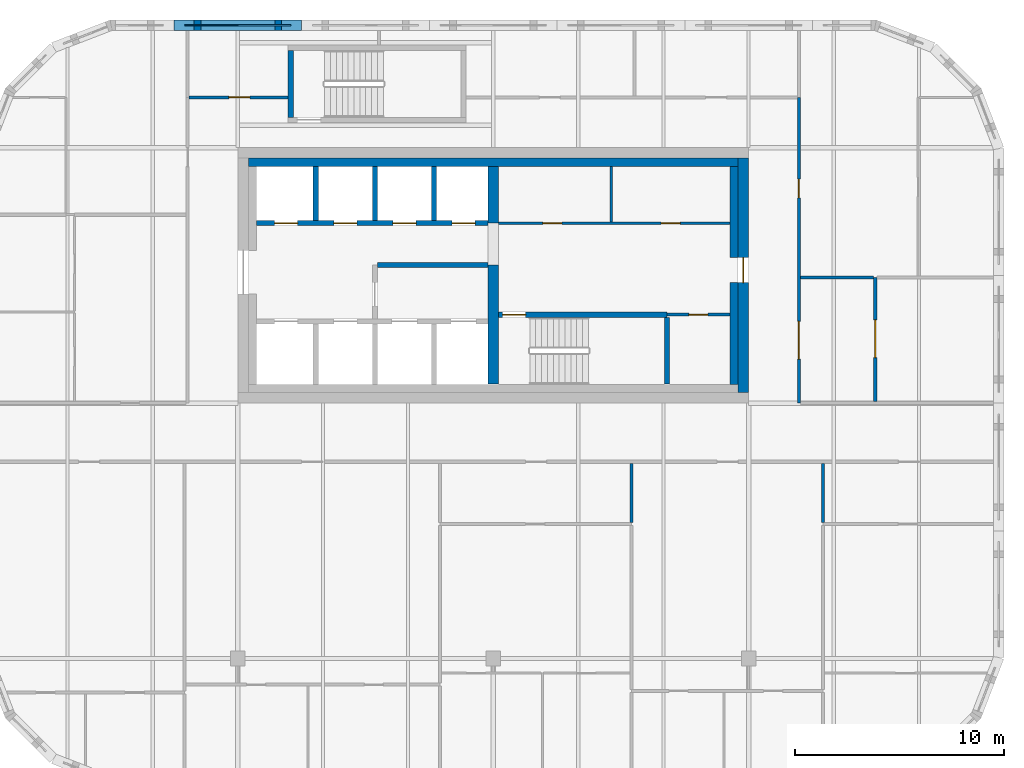
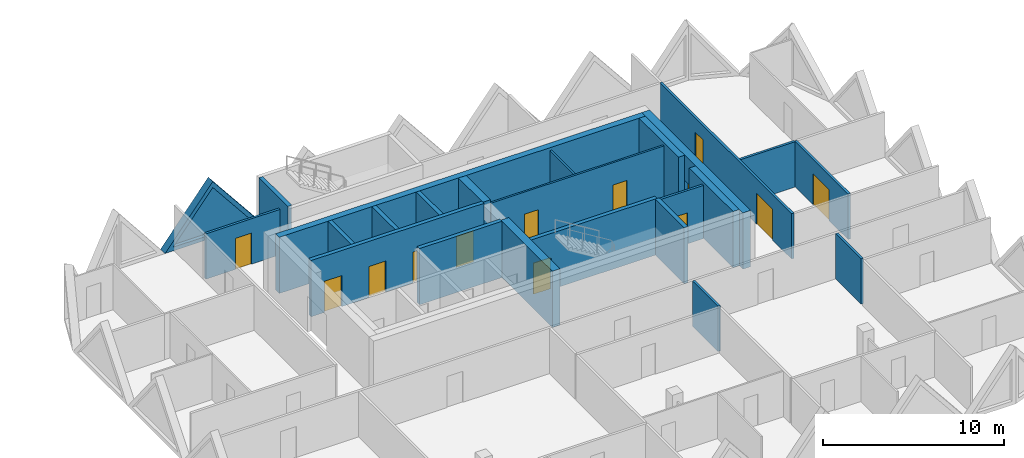
# One storey, part 14 of 19: 24 walls, 13 doors, 1 plate, 14 openings.
"""IFC4 building model written with IfcOpenShell, lengths in metres."""

from ifc_helpers import new_model, si_unit, direction, frame, frame_2d, origin, place, context, subcontext, project, spatial, polyline, rectangle, outline, extrude, faceted_brep, source, transform, mapped, material, layer, layer_set, type_object, element, fill, save


model = new_model("IFC4")

# Units and contexts
model_context = context("Model", 3, precision=1e-05, world=origin(), true_north=direction((0.0, 1.0)))
body_context = subcontext(model_context, "Body", "Model", "MODEL_VIEW")
ifc_project = project(units=[si_unit("LENGTHUNIT", "METRE"), si_unit("AREAUNIT", "SQUARE_METRE"), si_unit("VOLUMEUNIT", "CUBIC_METRE"), si_unit("PLANEANGLEUNIT", "RADIAN"), si_unit("MASSUNIT", "GRAM", prefix="KILO")], contexts=[model_context])

# Site, building, storey
site_placement = place(None, origin())
site = spatial("IfcSite", under=ifc_project, at=site_placement, CompositionType="ELEMENT")
building_placement = place(site_placement, origin())
building = spatial("IfcBuilding", under=site, at=building_placement, Name="Tessera Gate Towers", CompositionType="ELEMENT")
storey_placement = place(building_placement, frame((0.0, 0.0, 68.60009765625)))
storey = spatial("IfcBuildingStorey", under=building, at=storey_placement, Name="L16", CompositionType="ELEMENT", Elevation=68.60009765625)

# Wall, openings, doors
ifc_material_1 = material(Name="Concrete C40/50", Category="concrete")
ifc_layer_1 = layer(ifc_material_1, 0.25)
ifc_layer_set_1 = layer_set([ifc_layer_1], Name="CORE ENCLOSURE WALL 250")
wall_type_1 = type_object("IfcWallType", Name="CORE ENCLOSURE WALL 250", PredefinedType="SOLIDWALL", material=ifc_layer_set_1)
wall_1_placement = place(storey_placement, frame((109.550048828125, 45.199951171875, 0.0), z_axis=(0.0, 0.0, 1.0), x_axis=(-1.0, 0.0, 0.0)))
wall_1 = element("IfcWall", 1, at=wall_1_placement, inside=storey, type_object=wall_type_1, Name="L16 shaft and stair enclosure wall", PredefinedType="SOLIDWALL", context=body_context, shape_type="SweptSolid", body=[
    extrude(rectangle(XDim=11.050048828125, YDim=0.25, at=frame_2d((5.52490234375, 0.0))), origin(), (0.0, 0.0, 1.0), 3.7998046875),
])
shared_shape_1 = source(origin(), body_context, "Body", "SweptSolid", [
    extrude(rectangle(XDim=1.10009765625, YDim=2.10009765625, at=frame_2d((0.550048828125, 1.050048828125))), frame((0.0, 0.135009765625, 0.0), z_axis=(0.0, -1.0, 0.0), x_axis=(1.0, 0.0, 0.0)), (0.0, 0.0, 1.0), 0.27001953125),
])
opening_1_placement = place(wall_1_placement, frame((9.08740234375, 0.0, 0.0)))
opening_1 = element("IfcOpeningElement", 2, at=opening_1_placement, cuts=wall_1, Name="Opening LD-TL3", PredefinedType="OPENING", context=body_context, shape_type="MappedRepresentation", body=[
    mapped(shared_shape_1, transform((0.0, 0.0, 0.0), scale=1.0)),
])
opening_2_placement = place(wall_1_placement, frame((6.262451171875, 0.0, 0.0)))
opening_2 = element("IfcOpeningElement", 3, at=opening_2_placement, cuts=wall_1, Name="Opening LD-TL4", PredefinedType="OPENING", context=body_context, shape_type="MappedRepresentation", body=[
    mapped(shared_shape_1, transform((0.0, 0.0, 0.0), scale=1.0)),
])
opening_3_placement = place(wall_1_placement, frame((3.4375, 0.0, 0.0)))
opening_3 = element("IfcOpeningElement", 4, at=opening_3_placement, cuts=wall_1, Name="Opening LD-TL5", PredefinedType="OPENING", context=body_context, shape_type="MappedRepresentation", body=[
    mapped(shared_shape_1, transform((0.0, 0.0, 0.0), scale=1.0)),
])
opening_4_placement = place(wall_1_placement, frame((0.612548828125, 0.0, 0.0)))
opening_4 = element("IfcOpeningElement", 5, at=opening_4_placement, cuts=wall_1, Name="Opening LD-TL6", PredefinedType="OPENING", context=body_context, shape_type="MappedRepresentation", body=[
    mapped(shared_shape_1, transform((0.0, 0.0, 0.0), scale=1.0)),
])
ifc_material_2 = material(Name="Stainless steel", Category="steel")
door_type_1 = type_object("IfcDoorType", Name="CORE DOOR LD 1100x2100", OperationType="DOUBLE_DOOR_SLIDING", PredefinedType="DOOR", material=ifc_material_2)
shared_shape_2 = source(origin(), body_context, "Body", "SweptSolid", [
    extrude(rectangle(XDim=1.10009765625, YDim=2.10009765625, at=frame_2d((0.550048828125, 1.050048828125))), frame((0.0, 0.02490234375, 0.0), z_axis=(0.0, -1.0, 0.0), x_axis=(1.0, 0.0, 0.0)), (0.0, 0.0, 1.0), 0.050048828125),
])
door_1_placement = place(opening_1_placement, origin())
door_1 = element("IfcDoor", 6, at=door_1_placement, inside=storey, type_object=door_type_1, Name="Landing door TL3 L16", OperationType="DOUBLE_DOOR_SLIDING", OverallHeight=2.10009765625, OverallWidth=1.10009765625, PredefinedType="DOOR", context=body_context, shape_type="MappedRepresentation", body=[
    mapped(shared_shape_2, transform((0.0, 0.0, 0.0), scale=1.0)),
])
fill(opening_1, door_1)
door_2_placement = place(opening_2_placement, origin())
door_2 = element("IfcDoor", 7, at=door_2_placement, inside=storey, type_object=door_type_1, Name="Landing door TL4 L16", OperationType="DOUBLE_DOOR_SLIDING", OverallHeight=2.10009765625, OverallWidth=1.10009765625, PredefinedType="DOOR", context=body_context, shape_type="MappedRepresentation", body=[
    mapped(shared_shape_2, transform((0.0, 0.0, 0.0), scale=1.0)),
])
fill(opening_2, door_2)
door_3_placement = place(opening_3_placement, origin())
door_3 = element("IfcDoor", 8, at=door_3_placement, inside=storey, type_object=door_type_1, Name="Landing door TL5 L16", OperationType="DOUBLE_DOOR_SLIDING", OverallHeight=2.10009765625, OverallWidth=1.10009765625, PredefinedType="DOOR", context=body_context, shape_type="MappedRepresentation", body=[
    mapped(shared_shape_2, transform((0.0, 0.0, 0.0), scale=1.0)),
])
fill(opening_3, door_3)
door_4_placement = place(opening_4_placement, origin())
door_4 = element("IfcDoor", 9, at=door_4_placement, inside=storey, type_object=door_type_1, Name="Landing door TL6 L16", OperationType="DOUBLE_DOOR_SLIDING", OverallHeight=2.10009765625, OverallWidth=1.10009765625, PredefinedType="DOOR", context=body_context, shape_type="MappedRepresentation", body=[
    mapped(shared_shape_2, transform((0.0, 0.0, 0.0), scale=1.0)),
])
fill(opening_4, door_4)

# Wall, opening, door
wall_2_placement = place(storey_placement, frame((118.10009765625, 40.824951171875, 0.0), z_axis=(0.0, 0.0, 1.0), x_axis=(-1.0, 0.0, 0.0)))
wall_2 = element("IfcWall", 10, at=wall_2_placement, inside=storey, type_object=wall_type_1, Name="L16 shaft and stair enclosure wall", PredefinedType="SOLIDWALL", context=body_context, shape_type="SweptSolid", body=[
    extrude(rectangle(XDim=8.050048828125, YDim=0.25, at=frame_2d((4.02490234375, 0.0))), origin(), (0.0, 0.0, 1.0), 3.7998046875),
])
opening_5_placement = place(wall_2_placement, frame((6.75, 0.0, 0.0)))
opening_5 = element("IfcOpeningElement", 11, at=opening_5_placement, cuts=wall_2, Name="Opening SD-ST6-1", PredefinedType="OPENING", context=body_context, shape_type="MappedRepresentation", body=[
    mapped(shared_shape_1, transform((0.0, 0.0, 0.0), scale=1.0)),
])
ifc_material_3 = material(Name="Hollow steel fire door", Category="steel")
door_type_2 = type_object("IfcDoorType", Name="CORE DOOR SD1100 1100x2100", OperationType="NOTDEFINED", PredefinedType="DOOR", material=ifc_material_3)
door_5_placement = place(opening_5_placement, origin())
door_5 = element("IfcDoor", 12, at=door_5_placement, inside=storey, type_object=door_type_2, Name="Stair door", OperationType="SINGLE_SWING_RIGHT", OverallHeight=2.10009765625, OverallWidth=1.10009765625, PredefinedType="DOOR", context=body_context, shape_type="MappedRepresentation", body=[
    mapped(shared_shape_2, transform((0.0, 0.0, 0.0), scale=1.0)),
])
fill(opening_5, door_5)

# Walls
wall_3_placement = place(storey_placement, frame((104.27490234375, 43.199951171875, 0.0), z_axis=(0.0, 0.0, 1.0), x_axis=(1.0, 0.0, 0.0)))
element("IfcWall", 13, at=wall_3_placement, inside=storey, type_object=wall_type_1, Name="L16 shaft and stair enclosure wall", PredefinedType="SOLIDWALL", context=body_context, shape_type="SweptSolid", body=[
    extrude(rectangle(XDim=5.275146484375, YDim=0.25, at=frame_2d((2.6376953125, 0.0))), origin(), (0.0, 0.0, 1.0), 3.7998046875),
])
wall_4_placement = place(storey_placement, frame((118.10009765625, 37.5, 0.0), z_axis=(0.0, 0.0, 1.0), x_axis=(0.0, 1.0, 0.0)))
element("IfcWall", 14, at=wall_4_placement, inside=storey, type_object=wall_type_1, Name="L16 shaft and stair enclosure wall", PredefinedType="SOLIDWALL", context=body_context, shape_type="SweptSolid", body=[
    extrude(rectangle(XDim=3.199951171875, YDim=0.25, at=frame_2d((1.60009765625, 0.0))), origin(), (0.0, 0.0, 1.0), 3.7998046875),
])
for number, where, z_axis, x_axis, name in (
    (15, (101.324951171875, 45.324951171875, 0.0), (0.0, 0.0, 1.0), (0.0, 1.0, 0.0), "L16 shaft and stair enclosure wall"),
    (16, (104.14990234375, 45.324951171875, 0.0), (0.0, 0.0, 1.0), (0.0, 1.0, 0.0), "L16 shaft and stair enclosure wall"),
    (17, (106.97509765625, 45.324951171875, 0.0), (0.0, 0.0, 1.0), (0.0, 1.0, 0.0), "L16 shaft and stair enclosure wall"),
):
    element("IfcWall", number, at=place(storey_placement, frame(where, z_axis=z_axis, x_axis=x_axis)), inside=storey, type_object=wall_type_1, Name=name, PredefinedType="SOLIDWALL", context=body_context, shape_type="SweptSolid", body=[
        extrude(rectangle(XDim=2.574951171875, YDim=0.25, at=frame_2d((1.28759765625, 0.0))), origin(), (0.0, 0.0, 1.0), 3.7998046875),
    ])
wall_5_placement = place(storey_placement, frame((100.125, 50.25, 0.0), z_axis=(0.0, 0.0, 1.0), x_axis=(0.0, 1.0, 0.0)))
element("IfcWall", 18, at=wall_5_placement, inside=storey, type_object=wall_type_1, Name="L16 ST7 enclosure wall", PredefinedType="SOLIDWALL", context=body_context, shape_type="SweptSolid", body=[
    extrude(rectangle(XDim=3.199951171875, YDim=0.25, at=frame_2d((1.60009765625, 0.0))), origin(), (0.0, 0.0, 1.0), 3.7998046875),
])

# Wall, openings, doors
ifc_material_4 = material(Name="Gypsum board on steel studs", Category="steel")
ifc_layer_2 = layer(ifc_material_4, 0.1201171875)
ifc_layer_set_2 = layer_set([ifc_layer_2], Name="CORE PARTITION 120")
wall_type_2 = type_object("IfcWallType", Name="CORE PARTITION 120", PredefinedType="PARTITIONING", material=ifc_layer_set_2)
wall_6_placement = place(storey_placement, frame((110.050048828125, 45.199951171875, 0.0), z_axis=(0.0, 0.0, 1.0), x_axis=(1.0, 0.0, 0.0)))
wall_6 = element("IfcWall", 19, at=wall_6_placement, inside=storey, type_object=wall_type_2, Name="L16 core partition", PredefinedType="PARTITIONING", context=body_context, shape_type="SweptSolid", body=[
    extrude(rectangle(XDim=11.050048828125, YDim=0.1201171875, at=frame_2d((5.52490234375, 0.0))), origin(), (0.0, 0.0, 1.0), 3.599853515625),
])
shared_shape_3 = source(origin(), body_context, "Body", "SweptSolid", [
    extrude(rectangle(XDim=0.89990234375, YDim=2.10009765625, at=frame_2d((0.449951171875, 1.050048828125))), frame((0.0, 0.070068359375, 0.0), z_axis=(0.0, -1.0, 0.0), x_axis=(1.0, 0.0, 0.0)), (0.0, 0.0, 1.0), 0.14013671875),
])
opening_6_placement = place(wall_6_placement, frame((2.125, 0.0, 0.0)))
opening_6 = element("IfcOpeningElement", 20, at=opening_6_placement, cuts=wall_6, Name="Opening RD-T2-09-04", PredefinedType="OPENING", context=body_context, shape_type="MappedRepresentation", body=[
    mapped(shared_shape_3, transform((0.0, 0.0, 0.0), scale=1.0)),
])
opening_7_placement = place(wall_6_placement, frame((7.77490234375, 0.0, 0.0)))
opening_7 = element("IfcOpeningElement", 21, at=opening_7_placement, cuts=wall_6, Name="Opening RD-T2-09-05", PredefinedType="OPENING", context=body_context, shape_type="MappedRepresentation", body=[
    mapped(shared_shape_3, transform((0.0, 0.0, 0.0), scale=1.0)),
])
ifc_material_5 = material(Name="Hollow steel fire door", Category="steel")
door_type_3 = type_object("IfcDoorType", Name="CORE DOOR RD 900x2100", OperationType="NOTDEFINED", PredefinedType="DOOR", material=ifc_material_5)
shared_shape_4 = source(origin(), body_context, "Body", "SweptSolid", [
    extrude(rectangle(XDim=0.89990234375, YDim=2.10009765625, at=frame_2d((0.449951171875, 1.050048828125))), frame((0.0, 0.02490234375, 0.0), z_axis=(0.0, -1.0, 0.0), x_axis=(1.0, 0.0, 0.0)), (0.0, 0.0, 1.0), 0.050048828125),
])
door_6_placement = place(opening_6_placement, origin())
door_6 = element("IfcDoor", 22, at=door_6_placement, inside=storey, type_object=door_type_3, Name="Core room door", OperationType="SINGLE_SWING_LEFT", OverallHeight=2.10009765625, OverallWidth=0.89990234375, PredefinedType="DOOR", context=body_context, shape_type="MappedRepresentation", body=[
    mapped(shared_shape_4, transform((0.0, 0.0, 0.0), scale=1.0)),
])
fill(opening_6, door_6)
door_7_placement = place(opening_7_placement, origin())
door_7 = element("IfcDoor", 23, at=door_7_placement, inside=storey, type_object=door_type_3, Name="Core room door", OperationType="SINGLE_SWING_RIGHT", OverallHeight=2.10009765625, OverallWidth=0.89990234375, PredefinedType="DOOR", context=body_context, shape_type="MappedRepresentation", body=[
    mapped(shared_shape_4, transform((0.0, 0.0, 0.0), scale=1.0)),
])
fill(opening_7, door_7)

# Wall
wall_7_placement = place(storey_placement, frame((115.449951171875, 45.260009765625, 0.0), z_axis=(0.0, 0.0, 1.0), x_axis=(0.0, 1.0, 0.0)))
element("IfcWall", 24, at=wall_7_placement, inside=storey, type_object=wall_type_2, Name="L16 core partition", PredefinedType="PARTITIONING", context=body_context, shape_type="SweptSolid", body=[
    extrude(rectangle(XDim=2.639892578125, YDim=0.1201171875, at=frame_2d((1.31982421875, 0.0))), origin(), (0.0, 0.0, 1.0), 3.599853515625),
])

# Wall, opening, door
ifc_material_6 = material(Name="Concrete C50/60", Category="concrete")
ifc_layer_3 = layer(ifc_material_6, 0.5)
ifc_layer_set_3 = layer_set([ifc_layer_3], Name="CORE SHEAR WALL 500 C50/60")
wall_type_3 = type_object("IfcWallType", Name="CORE SHEAR WALL 500 C50/60", PredefinedType="SHEAR", material=ifc_layer_set_3)
wall_8_placement = place(storey_placement, frame((121.75, 48.300048828125, 0.0), z_axis=(0.0, 0.0, 1.0), x_axis=(0.0, -1.0, 0.0)))
wall_8 = element("IfcWall", 25, at=wall_8_placement, inside=storey, type_object=wall_type_3, Name="Core wall E L16", PredefinedType="SHEAR", context=body_context, shape_type="SweptSolid", body=[
    extrude(rectangle(XDim=11.199951171875, YDim=0.5, at=frame_2d((5.60009765625, 0.0))), origin(), (0.0, 0.0, 1.0), 3.7998046875),
])
shared_shape_5 = source(origin(), body_context, "Body", "SweptSolid", [
    extrude(rectangle(XDim=1.199951171875, YDim=2.10009765625, at=frame_2d((0.60009765625, 1.050048828125))), frame((0.0, 0.260009765625, 0.0), z_axis=(0.0, -1.0, 0.0), x_axis=(1.0, 0.0, 0.0)), (0.0, 0.0, 1.0), 0.52001953125),
])
opening_8_placement = place(wall_8_placement, frame((4.75, 0.0, 0.0)))
opening_8 = element("IfcOpeningElement", 26, at=opening_8_placement, cuts=wall_8, Name="Opening ED-T2-09-02", PredefinedType="OPENING", context=body_context, shape_type="MappedRepresentation", body=[
    mapped(shared_shape_5, transform((0.0, 0.0, 0.0), scale=1.0)),
])
ifc_material_7 = material(Name="Hollow steel fire door", Category="steel")
door_type_4 = type_object("IfcDoorType", Name="CORE DOOR ED 1200x2100", OperationType="NOTDEFINED", PredefinedType="DOOR", material=ifc_material_7)
shared_shape_6 = source(origin(), body_context, "Body", "SweptSolid", [
    extrude(rectangle(XDim=1.199951171875, YDim=2.10009765625, at=frame_2d((0.60009765625, 1.050048828125))), frame((0.0, 0.02490234375, 0.0), z_axis=(0.0, -1.0, 0.0), x_axis=(1.0, 0.0, 0.0)), (0.0, 0.0, 1.0), 0.050048828125),
])
door_8_placement = place(opening_8_placement, origin())
door_8 = element("IfcDoor", 27, at=door_8_placement, inside=storey, type_object=door_type_4, Name="Core exit door", OperationType="SINGLE_SWING_LEFT", OverallHeight=2.10009765625, OverallWidth=1.199951171875, PredefinedType="DOOR", context=body_context, shape_type="MappedRepresentation", body=[
    mapped(shared_shape_6, transform((0.0, 0.0, 0.0), scale=1.0)),
])
fill(opening_8, door_8)

# Walls
ifc_material_8 = material(Name="Concrete C50/60", Category="concrete")
ifc_layer_4 = layer(ifc_material_8, 0.5)
ifc_layer_set_4 = layer_set([ifc_layer_4], Name="CORE SPINE WALL 500 C50/60")
wall_type_4 = type_object("IfcWallType", Name="CORE SPINE WALL 500 C50/60", PredefinedType="SHEAR", material=ifc_layer_set_4)
wall_9_placement = place(storey_placement, frame((109.800048828125, 37.5, 0.0), z_axis=(0.0, 0.0, 1.0), x_axis=(0.0, 1.0, 0.0)))
element("IfcWall", 28, at=wall_9_placement, inside=storey, type_object=wall_type_4, Name="Core wall spine L16", PredefinedType="SHEAR", context=body_context, shape_type="SweptSolid", body=[
    extrude(rectangle(XDim=5.699951171875, YDim=0.5, at=frame_2d((2.85009765625, 0.0))), origin(), (0.0, 0.0, 1.0), 3.7998046875),
])
wall_10_placement = place(storey_placement, frame((109.800048828125, 45.199951171875, 0.0), z_axis=(0.0, 0.0, 1.0), x_axis=(0.0, 1.0, 0.0)))
element("IfcWall", 29, at=wall_10_placement, inside=storey, type_object=wall_type_4, Name="Core wall spine L16", PredefinedType="SHEAR", context=body_context, shape_type="SweptSolid", body=[
    extrude(rectangle(XDim=2.699951171875, YDim=0.5, at=frame_2d((1.35009765625, 0.0))), origin(), (0.0, 0.0, 1.0), 3.7998046875),
])
ifc_material_9 = material(Name="Concrete C50/60", Category="concrete")
ifc_layer_5 = layer(ifc_material_9, 0.39990234375)
ifc_layer_set_5 = layer_set([ifc_layer_5], Name="CORE WALL THICKENING 400")
wall_type_5 = type_object("IfcWallType", Name="CORE WALL THICKENING 400", PredefinedType="SOLIDWALL", material=ifc_layer_set_5)
wall_11_placement = place(storey_placement, frame((98.10009765625, 48.10009765625, 0.0), z_axis=(0.0, 0.0, 1.0), x_axis=(1.0, 0.0, 0.0)))
element("IfcWall", 30, at=wall_11_placement, inside=storey, type_object=wall_type_5, Name="Core wall thickening N L16", PredefinedType="SOLIDWALL", context=body_context, shape_type="SweptSolid", body=[
    extrude(rectangle(XDim=23.39990234375, YDim=0.39990234375, at=frame_2d((11.699951171875, 0.0))), origin(), (0.0, 0.0, 1.0), 3.7998046875),
])
wall_12_placement = place(storey_placement, frame((121.300048828125, 37.5, 0.0), z_axis=(0.0, 0.0, 1.0), x_axis=(0.0, 1.0, 0.0)))
element("IfcWall", 31, at=wall_12_placement, inside=storey, type_object=wall_type_5, Name="Core wall thickening E L16", PredefinedType="SOLIDWALL", context=body_context, shape_type="SweptSolid", body=[
    extrude(rectangle(XDim=4.85009765625, YDim=0.39990234375, at=frame_2d((2.425048828125, 0.0))), origin(), (0.0, 0.0, 1.0), 3.7998046875),
])
wall_13_placement = place(storey_placement, frame((121.300048828125, 43.550048828125, 0.0), z_axis=(0.0, 0.0, 1.0), x_axis=(0.0, 1.0, 0.0)))
element("IfcWall", 32, at=wall_13_placement, inside=storey, type_object=wall_type_5, Name="Core wall thickening E L16", PredefinedType="SOLIDWALL", context=body_context, shape_type="SweptSolid", body=[
    extrude(rectangle(XDim=4.349853515625, YDim=0.39990234375, at=frame_2d((2.1748046875, 0.0))), origin(), (0.0, 0.0, 1.0), 3.7998046875),
])

# Wall, openings, doors
ifc_material_10 = material(Name="Gypsum board on steel studs, mineral wool", Category="steel")
ifc_layer_6 = layer(ifc_material_10, 0.14990234375)
ifc_layer_set_6 = layer_set([ifc_layer_6], Name="CORRIDOR WALL 150")
wall_type_6 = type_object("IfcWallType", Name="CORRIDOR WALL 150", PredefinedType="PARTITIONING", material=ifc_layer_set_6)
wall_14_placement = place(storey_placement, frame((124.39990234375, 51.199951171875, 0.0), z_axis=(0.0, 0.0, 1.0), x_axis=(0.0, -1.0, 0.0)))
wall_14 = element("IfcWall", 33, at=wall_14_placement, inside=storey, type_object=wall_type_6, Name="T2-L16-PW-030", PredefinedType="PARTITIONING", context=body_context, shape_type="SweptSolid", body=[
    extrude(rectangle(XDim=14.599853515625, YDim=0.14990234375, at=frame_2d((7.2998046875, 0.0))), origin(), (0.0, 0.0, 1.0), 3.06689453125),
])
shared_shape_7 = source(origin(), body_context, "Body", "SweptSolid", [
    extrude(rectangle(XDim=0.89990234375, YDim=2.10009765625, at=frame_2d((0.449951171875, 1.050048828125))), frame((0.0, 0.0849609375, 0.0), z_axis=(0.0, -1.0, 0.0), x_axis=(1.0, 0.0, 0.0)), (0.0, 0.0, 1.0), 0.169921875),
])
opening_9_placement = place(wall_14_placement, frame((3.89990234375, 0.0, 0.0)))
opening_9 = element("IfcOpeningElement", 34, at=opening_9_placement, cuts=wall_14, Name="Opening D890FD60-B07-02", PredefinedType="OPENING", context=body_context, shape_type="MappedRepresentation", body=[
    mapped(shared_shape_7, transform((0.0, 0.0, 0.0), scale=1.0)),
])
shared_shape_8 = source(origin(), body_context, "Body", "SweptSolid", [
    extrude(rectangle(XDim=1.800048828125, YDim=2.10009765625, at=frame_2d((0.89990234375, 1.050048828125))), frame((0.0, 0.0849609375, 0.0), z_axis=(0.0, -1.0, 0.0), x_axis=(1.0, 0.0, 0.0)), (0.0, 0.0, 1.0), 0.169921875),
])
opening_10_placement = place(wall_14_placement, frame((10.699951171875, 0.0, 0.0)))
opening_10 = element("IfcOpeningElement", 35, at=opening_10_placement, cuts=wall_14, Name="Opening D2180FD60-B07-01", PredefinedType="OPENING", context=body_context, shape_type="MappedRepresentation", body=[
    mapped(shared_shape_8, transform((0.0, 0.0, 0.0), scale=1.0)),
])
ifc_material_11 = material(Name="Timber door leaf in steel frame", Category="steel")
door_type_5 = type_object("IfcDoorType", Name="CORRIDOR DOOR 900 FD60", OperationType="NOTDEFINED", PredefinedType="DOOR", material=ifc_material_11)
door_9_placement = place(opening_9_placement, origin())
door_9 = element("IfcDoor", 36, at=door_9_placement, inside=storey, type_object=door_type_5, Name="T2-L16-PD-020", OperationType="SINGLE_SWING_RIGHT", OverallHeight=2.10009765625, OverallWidth=0.89990234375, PredefinedType="DOOR", context=body_context, shape_type="MappedRepresentation", body=[
    mapped(shared_shape_4, transform((0.0, 0.0, 0.0), scale=1.0)),
])
fill(opening_9, door_9)
ifc_material_12 = material(Name="Timber door leaf in steel frame", Category="steel")
door_type_6 = type_object("IfcDoorType", Name="TENANCY ENTRANCE DOUBLE DOOR 1800 FD60", OperationType="NOTDEFINED", PredefinedType="DOOR", material=ifc_material_12)
shared_shape_9 = source(origin(), body_context, "Body", "SweptSolid", [
    extrude(rectangle(XDim=1.800048828125, YDim=2.10009765625, at=frame_2d((0.89990234375, 1.050048828125))), frame((0.0, 0.02490234375, 0.0), z_axis=(0.0, -1.0, 0.0), x_axis=(1.0, 0.0, 0.0)), (0.0, 0.0, 1.0), 0.050048828125),
])
door_10_placement = place(opening_10_placement, origin())
door_10 = element("IfcDoor", 37, at=door_10_placement, inside=storey, type_object=door_type_6, Name="T2-L16-PD-025", OperationType="DOUBLE_DOOR_SINGLE_SWING", OverallHeight=2.10009765625, OverallWidth=1.800048828125, PredefinedType="DOOR", context=body_context, shape_type="MappedRepresentation", body=[
    mapped(shared_shape_9, transform((0.0, 0.0, 0.0), scale=1.0)),
])
fill(opening_10, door_10)

# Wall, opening, door
wall_15_placement = place(storey_placement, frame((95.27587890625, 51.199951171875, 0.0), z_axis=(0.0, 0.0, 1.0), x_axis=(1.0, 0.0, 0.0)))
wall_15 = element("IfcWall", 38, at=wall_15_placement, inside=storey, type_object=wall_type_6, Name="T2-L16-PW-045", PredefinedType="PARTITIONING", context=body_context, shape_type="SweptSolid", body=[
    extrude(rectangle(XDim=4.72412109375, YDim=0.14990234375, at=frame_2d((2.362060546875, 0.0))), origin(), (0.0, 0.0, 1.0), 3.06689453125),
])
shared_shape_10 = source(origin(), body_context, "Body", "SweptSolid", [
    extrude(rectangle(XDim=1.0, YDim=2.10009765625, at=frame_2d((0.5, 1.050048828125))), frame((0.0, 0.0849609375, 0.0), z_axis=(0.0, -1.0, 0.0), x_axis=(1.0, 0.0, 0.0)), (0.0, 0.0, 1.0), 0.169921875),
])
opening_11_placement = place(wall_15_placement, frame((1.89990234375, 0.0, 0.0)))
opening_11 = element("IfcOpeningElement", 39, at=opening_11_placement, cuts=wall_15, Name="Opening D2100FD60-B07-01", PredefinedType="OPENING", context=body_context, shape_type="MappedRepresentation", body=[
    mapped(shared_shape_10, transform((0.0, 0.0, 0.0), scale=1.0)),
])
ifc_material_13 = material(Name="Timber door leaf in steel frame", Category="steel")
door_type_7 = type_object("IfcDoorType", Name="TENANCY ENTRANCE DOOR 1000 FD60", OperationType="NOTDEFINED", PredefinedType="DOOR", material=ifc_material_13)
shared_shape_11 = source(origin(), body_context, "Body", "SweptSolid", [
    extrude(rectangle(XDim=1.0, YDim=2.10009765625, at=frame_2d((0.5, 1.050048828125))), frame((0.0, 0.02490234375, 0.0), z_axis=(0.0, -1.0, 0.0), x_axis=(1.0, 0.0, 0.0)), (0.0, 0.0, 1.0), 0.050048828125),
])
door_11_placement = place(opening_11_placement, origin())
door_11 = element("IfcDoor", 40, at=door_11_placement, inside=storey, type_object=door_type_7, Name="T2-L16-PD-006", OperationType="SINGLE_SWING_LEFT", OverallHeight=2.10009765625, OverallWidth=1.0, PredefinedType="DOOR", context=body_context, shape_type="MappedRepresentation", body=[
    mapped(shared_shape_11, transform((0.0, 0.0, 0.0), scale=1.0)),
])
fill(opening_11, door_11)

ifc_material_14 = material(Name="Gypsum board on steel studs", Category="steel")
ifc_layer_7 = layer(ifc_material_14, 0.14990234375)
ifc_layer_set_7 = layer_set([ifc_layer_7], Name="SERVICE ROOM WALL 150")
wall_type_7 = type_object("IfcWallType", Name="SERVICE ROOM WALL 150", PredefinedType="PARTITIONING", material=ifc_layer_set_7)
wall_16_placement = place(storey_placement, frame((121.10009765625, 40.824951171875, 0.0), z_axis=(0.0, 0.0, 1.0), x_axis=(-1.0, 0.0, 0.0)))
wall_16 = element("IfcWall", 41, at=wall_16_placement, inside=storey, type_object=wall_type_7, Name="L16 service room wall", PredefinedType="PARTITIONING", context=body_context, shape_type="SweptSolid", body=[
    extrude(rectangle(XDim=3.0, YDim=0.14990234375, at=frame_2d((1.5, 0.0))), origin(), (0.0, 0.0, 1.0), 3.599853515625),
])
opening_12_placement = place(wall_16_placement, frame((1.050048828125, 0.0, 0.0)))
opening_12 = element("IfcOpeningElement", 42, at=opening_12_placement, cuts=wall_16, Name="Opening RD-T2-09-06", PredefinedType="OPENING", context=body_context, shape_type="MappedRepresentation", body=[
    mapped(shared_shape_7, transform((0.0, 0.0, 0.0), scale=1.0)),
])
door_12_placement = place(opening_12_placement, origin())
door_12 = element("IfcDoor", 43, at=door_12_placement, inside=storey, type_object=door_type_3, Name="Core room door", OperationType="SINGLE_SWING_RIGHT", OverallHeight=2.10009765625, OverallWidth=0.89990234375, PredefinedType="DOOR", context=body_context, shape_type="MappedRepresentation", body=[
    mapped(shared_shape_4, transform((0.0, 0.0, 0.0), scale=1.0)),
])
fill(opening_12, door_12)

# Walls
ifc_material_15 = material(Name="Gypsum board on steel studs, mineral wool", Category="steel")
ifc_layer_8 = layer(ifc_material_15, 0.14990234375)
ifc_layer_set_8 = layer_set([ifc_layer_8], Name="TENANCY WALL 150")
wall_type_8 = type_object("IfcWallType", Name="TENANCY WALL 150", PredefinedType="PARTITIONING", material=ifc_layer_set_8)
for number, where, z_axis, x_axis, name in (
    (44, (116.39990234375, 30.90087890625, 0.0), (0.0, 0.0, 1.0), (0.0, 1.0, 0.0), "T2-L16-PW-025"),
    (45, (125.550048828125, 30.90087890625, 0.0), (0.0, 0.0, 1.0), (0.0, 1.0, 0.0), "T2-L16-PW-026"),
):
    element("IfcWall", number, at=place(storey_placement, frame(where, z_axis=z_axis, x_axis=x_axis)), inside=storey, type_object=wall_type_8, Name=name, PredefinedType="PARTITIONING", context=body_context, shape_type="SweptSolid", body=[
        extrude(rectangle(XDim=2.8232421875, YDim=0.14990234375, at=frame_2d((1.41162109375, 0.0))), origin(), (0.0, 0.0, 1.0), 3.06689453125),
    ])

# Wall, opening, door
wall_17_placement = place(storey_placement, frame((128.050048828125, 42.60009765625, 0.0), z_axis=(0.0, 0.0, 1.0), x_axis=(0.0, -1.0, 0.0)))
wall_17 = element("IfcWall", 46, at=wall_17_placement, inside=storey, type_object=wall_type_8, Name="T2-L16-PW-033", PredefinedType="PARTITIONING", context=body_context, shape_type="SweptSolid", body=[
    extrude(rectangle(XDim=5.924072265625, YDim=0.14990234375, at=frame_2d((2.9619140625, 0.0))), origin(), (0.0, 0.0, 1.0), 3.06689453125),
])
opening_13_placement = place(wall_17_placement, frame((2.02392578125, 0.0, 0.0)))
opening_13 = element("IfcOpeningElement", 47, at=opening_13_placement, cuts=wall_17, Name="Opening D7180-B07-01", PredefinedType="OPENING", context=body_context, shape_type="MappedRepresentation", body=[
    mapped(shared_shape_8, transform((0.0, 0.0, 0.0), scale=1.0)),
])
ifc_material_16 = material(Name="Timber door leaf in steel frame", Category="steel")
door_type_8 = type_object("IfcDoorType", Name="DOUBLE DOOR 1800 NOT RATED", OperationType="NOTDEFINED", PredefinedType="DOOR", material=ifc_material_16)
door_13_placement = place(opening_13_placement, origin())
door_13 = element("IfcDoor", 48, at=door_13_placement, inside=storey, type_object=door_type_8, Name="T2-L16-PD-012", OperationType="DOUBLE_DOOR_SINGLE_SWING", OverallHeight=2.10009765625, OverallWidth=1.800048828125, PredefinedType="DOOR", context=body_context, shape_type="MappedRepresentation", body=[
    mapped(shared_shape_9, transform((0.0, 0.0, 0.0), scale=1.0)),
])
fill(opening_13, door_13)

# Wall
wall_18_placement = place(storey_placement, frame((124.47607421875, 42.60009765625, 0.0), z_axis=(0.0, 0.0, 1.0), x_axis=(1.0, 0.0, 0.0)))
element("IfcWall", 49, at=wall_18_placement, inside=storey, type_object=wall_type_8, Name="T2-L16-PW-036", PredefinedType="PARTITIONING", context=body_context, shape_type="SweptSolid", body=[
    extrude(rectangle(XDim=3.498046875, YDim=0.14990234375, at=frame_2d((1.7490234375, 0.0))), origin(), (0.0, 0.0, 1.0), 3.06689453125),
])

# Wall, opening, plate
ifc_material_17 = material(Name="Precast concrete C60/75 white", Category="concrete")
ifc_layer_9 = layer(ifc_material_17, 0.5)
ifc_layer_set_9 = layer_set([ifc_layer_9], Name="TS2 half tessera")
wall_type_9 = type_object("IfcWallType", Name="TS2 half tessera", PredefinedType="SOLIDWALL", material=ifc_layer_set_9)
shared_shape_12 = source(origin(), body_context, "Body", "Brep", [
    faceted_brep([(6.099853515625, -0.25, 0.000244140625), (3.050048828125, -0.25, 3.7998046875), (0.0, -0.25, 0.0), (6.099853515625, -0.25, 0.0), (0.0, 0.25, 0.0), (3.050048828125, 0.25, 3.7998046875), (6.099853515625, 0.25, 0.000244140625), (6.099853515625, 0.25, 0.0)], [[[0, 1, 2, 3]], [[4, 5, 6, 7]], [[6, 5, 1, 0]], [[5, 4, 2, 1]], [[4, 7, 3, 2]], [[3, 7, 6, 0]]]),
])
wall_19_placement = place(storey_placement, frame((100.64990234375, 54.64990234375, 0.0), z_axis=(0.0, 0.0, 1.0), x_axis=(-1.0, 0.0, 0.0)))
wall_19 = element("IfcWall", 50, at=wall_19_placement, inside=storey, type_object=wall_type_9, Name="Precast half tessera T2 TS2-0085", PredefinedType="SOLIDWALL", context=body_context, shape_type="MappedRepresentation", body=[
    mapped(shared_shape_12, transform((0.0, 0.0, 0.0), scale=1.0)),
])
shared_shape_13 = source(origin(), body_context, "Body", "SweptSolid", [
    extrude(outline(polyline([(5.578857421875, 0.25), (3.050048828125, 3.400390625), (0.521240234375, 0.25), (5.578857421875, 0.25)])), frame((0.0, 0.260009765625, 0.0), z_axis=(0.0, -1.0, 0.0), x_axis=(1.0, 0.0, 0.0)), (0.0, 0.0, 1.0), 0.52001953125),
])
opening_14_placement = place(wall_19_placement, origin())
opening_14 = element("IfcOpeningElement", 51, at=opening_14_placement, cuts=wall_19, Name="Opening T2-PL1-0159", PredefinedType="OPENING", context=body_context, shape_type="MappedRepresentation", body=[
    mapped(shared_shape_13, transform((0.0, 0.0, 0.0), scale=1.0)),
])
ifc_material_18 = material(Name="Low-e laminated glass", Category="glass")
ifc_layer_10 = layer(ifc_material_18, 0.06005859375)
ifc_layer_set_10 = layer_set([ifc_layer_10], Name="PL1 triangular pane")
plate_type = type_object("IfcPlateType", Name="PL1 triangular pane", PredefinedType="SHEET", material=ifc_layer_set_10)
shared_shape_14 = source(origin(), body_context, "Body", "SweptSolid", [
    extrude(outline(polyline([(5.578857421875, 0.25), (3.050048828125, 3.400390625), (0.521240234375, 0.25), (5.578857421875, 0.25)])), frame((0.0, 0.030029296875, 0.0), z_axis=(0.0, -1.0, 0.0), x_axis=(1.0, 0.0, 0.0)), (0.0, 0.0, 1.0), 0.06005859375),
])
plate_placement = place(opening_14_placement, origin())
plate = element("IfcPlate", 52, at=plate_placement, inside=storey, type_object=plate_type, Name="Glass pane T2 PL1-0159", PredefinedType="SHEET", context=body_context, shape_type="MappedRepresentation", body=[
    mapped(shared_shape_14, transform((0.0, 0.0, 0.0), scale=1.0)),
])
fill(opening_14, plate)

save(model, "model.ifc")
